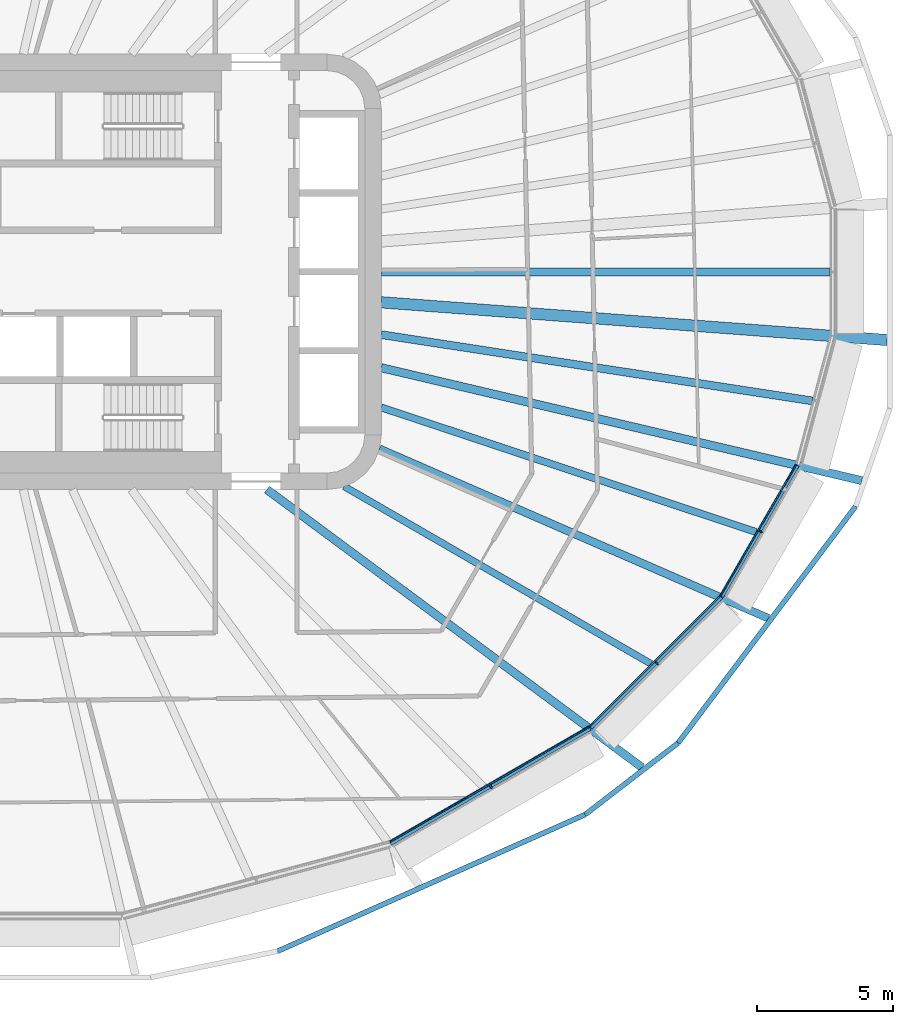
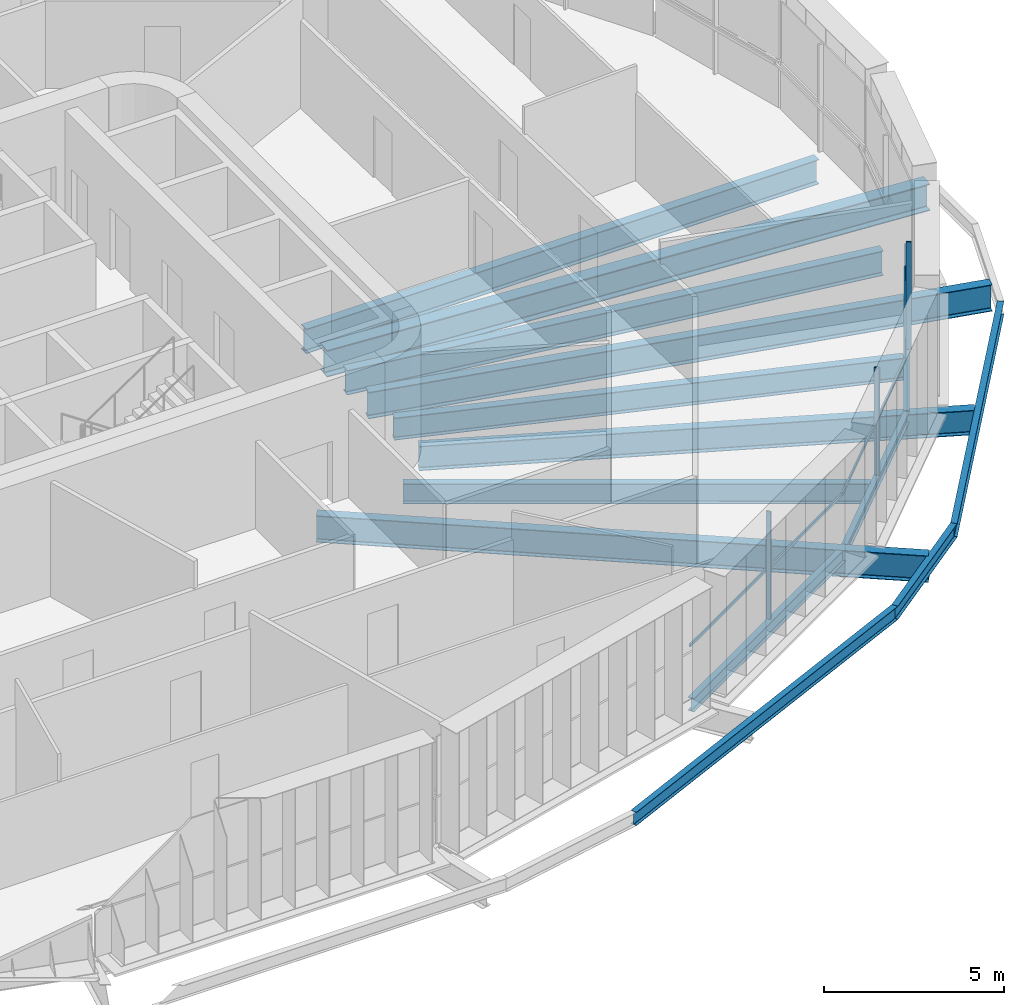
# One storey, part 5 of 26: 14 beams, 6 members, 3 elements without a shape of their own.
"""IFC4 building model written with IfcOpenShell, lengths in metres."""

from ifc_helpers import new_model, si_unit, direction, frame, origin, origin_2d, place, context, subcontext, project, spatial, rectangle, i_section, extrude, material, layer, layer_set, material_profile, profile_set, type_object, element, aggregate, save


model = new_model("IFC4")

# Units and contexts
model_context = context("Model", 3, precision=1e-05, world=origin(), true_north=direction((0.0, 1.0)))
body_context = subcontext(model_context, "Body", "Model", "MODEL_VIEW")
ifc_project = project(units=[si_unit("LENGTHUNIT", "METRE"), si_unit("AREAUNIT", "SQUARE_METRE"), si_unit("VOLUMEUNIT", "CUBIC_METRE"), si_unit("PLANEANGLEUNIT", "RADIAN"), si_unit("MASSUNIT", "GRAM", prefix="KILO")], contexts=[model_context])

# Site, building, storey
site_placement = place(None, origin())
site = spatial("IfcSite", under=ifc_project, at=site_placement, CompositionType="ELEMENT")
building_placement = place(site_placement, origin())
building = spatial("IfcBuilding", under=site, at=building_placement, Name="Sahrelin Media Tower", CompositionType="ELEMENT")
storey_placement = place(building_placement, frame((0.0, 0.0, 92.39990234375)))
storey = spatial("IfcBuildingStorey", under=building, at=storey_placement, Name="L17", CompositionType="ELEMENT", Elevation=92.39990234375)

# Beams
ifc_material_1 = material(Name="Steel S355", Category="steel")
ifc_material_profile_1 = material_profile(ifc_material_1, i_section(OverallWidth=0.1650390625, OverallDepth=0.303466796875, WebThickness=0.006103515625, FlangeThickness=0.01025390625, FilletRadius=0.0087890625, at=origin_2d()), Name="UB 305x165x40")
ifc_profile_set_1 = profile_set([ifc_material_profile_1], Name="Steel S355")
beam_type_1 = type_object("IfcBeamType", Name="Edge beam EB2", PredefinedType="BEAM", material=ifc_profile_set_1)
beam_1_placement = place(storey_placement, frame((30.282958984375, -7.103271484375, -0.301513671875), z_axis=(-0.499998387408, -0.866026334813, 0.0), x_axis=(0.866026334813, -0.499998387408, 0.0)))
element("IfcBeam", 1, at=beam_1_placement, inside=storey, type_object=beam_type_1, Name="Edge beam L17-03", PredefinedType="BEAM", context=body_context, shape_type="SweptSolid", body=[
    extrude(i_section(OverallWidth=0.1650390625, OverallDepth=0.303466796875, WebThickness=0.006103515625, FlangeThickness=0.01025390625, FilletRadius=0.0087890625, at=origin_2d()), origin(), (0.0, 0.0, 1.0), 5.5654296875),
])
ifc_material_profile_2 = material_profile(ifc_material_1, i_section(OverallWidth=0.17138671875, OverallDepth=0.35498046875, WebThickness=0.00732421875, FlangeThickness=0.011474609375, FilletRadius=0.01025390625, at=origin_2d()), Name="UB 356x171x51")
ifc_profile_set_2 = profile_set([ifc_material_profile_2], Name="Steel S355")
beam_type_2 = type_object("IfcBeamType", Name="Edge beam EB3", PredefinedType="BEAM", material=ifc_profile_set_2)
beam_2_placement = place(storey_placement, frame((27.482666015625, -11.946044921875, -0.327392578125), z_axis=(-0.707106781187, -0.707106781187, 0.0), x_axis=(0.707106781187, -0.707106781187, 0.0)))
element("IfcBeam", 2, at=beam_2_placement, inside=storey, type_object=beam_type_2, Name="Edge beam L17-04", PredefinedType="BEAM", context=body_context, shape_type="SweptSolid", body=[
    extrude(i_section(OverallWidth=0.17138671875, OverallDepth=0.35498046875, WebThickness=0.00732421875, FlangeThickness=0.011474609375, FilletRadius=0.01025390625, at=origin_2d()), origin(), (0.0, 0.0, 1.0), 6.7783203125),
])
ifc_material_profile_3 = material_profile(ifc_material_1, i_section(OverallWidth=0.1904296875, OverallDepth=0.45703125, WebThickness=0.009033203125, FlangeThickness=0.014404296875, FilletRadius=0.01025390625, at=origin_2d()), Name="UB 457x191x74")
ifc_profile_set_3 = profile_set([ifc_material_profile_3], Name="Steel S355")
beam_type_3 = type_object("IfcBeamType", Name="Edge beam EB5", PredefinedType="BEAM", material=ifc_profile_set_3)
beam_3_placement = place(storey_placement, frame((22.666748046875, -16.756591796875, -0.37841796875), z_axis=(-0.866025712585, -0.499999465141, 0.0), x_axis=(0.499999465141, -0.866025712585, 0.0)))
element("IfcBeam", 3, at=beam_3_placement, inside=storey, type_object=beam_type_3, Name="Edge beam L17-05", PredefinedType="BEAM", context=body_context, shape_type="SweptSolid", body=[
    extrude(i_section(OverallWidth=0.1904296875, OverallDepth=0.45703125, WebThickness=0.009033203125, FlangeThickness=0.014404296875, FilletRadius=0.01025390625, at=origin_2d()), origin(), (0.0, 0.0, 1.0), 8.46826171875),
])

# Curtain wall, member
ifc_material_2 = material(Name="Champagne anodised aluminium 6063-T6", Category="aluminium")
ifc_layer = layer(ifc_material_2, 0.14990234375)
ifc_layer_set = layer_set([ifc_layer], Name="Tower ribbon curtain wall")
curtain_wall_type = type_object("IfcCurtainWallType", Name="Tower ribbon curtain wall", PredefinedType="NOTDEFINED", material=ifc_layer_set)
curtain_wall_1_placement = place(storey_placement, frame((19.074951171875, -19.003662109375, 0.0), z_axis=(0.0, 0.0, 1.0), x_axis=(1.0, 0.0, 0.0)))
curtain_wall_1 = element("IfcCurtainWall", 4, at=curtain_wall_1_placement, inside=storey, type_object=curtain_wall_type, Name="L17:CW:L17-20", PredefinedType="NOTDEFINED")
ifc_material_profile_4 = material_profile(ifc_material_2, rectangle(XDim=0.06005859375, YDim=0.14990234375, at=origin_2d()), Name="Mullion 60x150")
ifc_profile_set_4 = profile_set([ifc_material_profile_4], Name="Champagne anodised aluminium 6063-T6")
member_type_1 = type_object("IfcMemberType", Name="Mullion 60x150 CW1", PredefinedType="MULLION", material=ifc_profile_set_4)
member_1_placement = place(storey_placement, frame((19.02734375, -18.92138671875, 0.0), z_axis=(0.0, 0.0, 1.0), x_axis=(0.866022785779, 0.500004534492, 0.0)))
member_1 = element("IfcMember", 5, at=member_1_placement, type_object=member_type_1, Name="L17:CWM:L17-20", PredefinedType="MULLION", context=body_context, shape_type="SweptSolid", body=[
    extrude(rectangle(XDim=0.06005859375, YDim=0.14990234375, at=origin_2d()), origin(), (0.0, 0.0, 1.0), 3.648681640625),
])

curtain_wall_2_placement = place(storey_placement, frame((25.192138671875, -14.448486328125, 0.0), z_axis=(0.0, 0.0, 1.0), x_axis=(1.0, 0.0, 0.0)))
curtain_wall_2 = element("IfcCurtainWall", 6, at=curtain_wall_2_placement, inside=storey, type_object=curtain_wall_type, Name="L17:CW:L17-21", PredefinedType="NOTDEFINED")
member_2_placement = place(storey_placement, frame((25.125, -14.381591796875, 0.0), z_axis=(0.0, 0.0, 1.0), x_axis=(0.707114185953, 0.707099376343, 0.0)))
member_2 = element("IfcMember", 7, at=member_2_placement, type_object=member_type_1, Name="L17:CWM:L17-21", PredefinedType="MULLION", context=body_context, shape_type="SweptSolid", body=[
    extrude(rectangle(XDim=0.06005859375, YDim=0.14990234375, at=origin_2d()), origin(), (0.0, 0.0, 1.0), 3.648681640625),
])

curtain_wall_3_placement = place(storey_placement, frame((29.021484375, -9.58837890625, 0.0), z_axis=(0.0, 0.0, 1.0), x_axis=(1.0, 0.0, 0.0)))
curtain_wall_3 = element("IfcCurtainWall", 8, at=curtain_wall_3_placement, inside=storey, type_object=curtain_wall_type, Name="L17:CW:L17-22", PredefinedType="NOTDEFINED")
member_3_placement = place(storey_placement, frame((28.939208984375, -9.540771484375, 0.0), z_axis=(0.0, 0.0, 1.0), x_axis=(0.499990930976, 0.866030639725, 0.0)))
member_3 = element("IfcMember", 9, at=member_3_placement, type_object=member_type_1, Name="L17:CWM:L17-22", PredefinedType="MULLION", context=body_context, shape_type="SweptSolid", body=[
    extrude(rectangle(XDim=0.06005859375, YDim=0.14990234375, at=origin_2d()), origin(), (0.0, 0.0, 1.0), 3.648681640625),
])

# Beams
ifc_material_profile_5 = material_profile(ifc_material_1, i_section(OverallWidth=0.291748046875, OverallDepth=0.8349609375, WebThickness=0.013916015625, FlangeThickness=0.018798828125, FilletRadius=0.017822265625, at=origin_2d()), Name="UB 838x292x176")
ifc_profile_set_5 = profile_set([ifc_material_profile_5], Name="Steel S355")
beam_type_4 = type_object("IfcBeamType", Name="Radial primary beam PB10", PredefinedType="BEAM", material=ifc_profile_set_5)
beam_4_placement = place(storey_placement, frame((14.93359375, -6.5048828125, -0.5673828125), z_axis=(0.916801692718, -0.399342780366, 0.0), x_axis=(0.399342780366, 0.916801692718, 0.0)))
element("IfcBeam", 10, at=beam_4_placement, inside=storey, type_object=beam_type_4, Name="Radial beam L17-22", PredefinedType="BEAM", context=body_context, shape_type="SweptSolid", body=[
    extrude(i_section(OverallWidth=0.291748046875, OverallDepth=0.8349609375, WebThickness=0.013916015625, FlangeThickness=0.018798828125, FilletRadius=0.017822265625, at=origin_2d()), origin(), (0.0, 0.0, 1.0), 15.5888671875),
])
ifc_material_profile_6 = material_profile(ifc_material_1, i_section(OverallWidth=0.30322265625, OverallDepth=0.903076171875, WebThickness=0.01513671875, FlangeThickness=0.020263671875, FilletRadius=0.01904296875, at=origin_2d()), Name="UB 914x305x201")
ifc_profile_set_6 = profile_set([ifc_material_profile_6], Name="Steel S355")
beam_type_5 = type_object("IfcBeamType", Name="Radial primary beam PB11", PredefinedType="BEAM", material=ifc_profile_set_6)
beam_5_placement = place(storey_placement, frame((10.798828125, -8.0, -0.601318359375), z_axis=(0.803531476901, -0.595262266257, 0.0), x_axis=(0.595262266257, 0.803531476901, 0.0)))
element("IfcBeam", 11, at=beam_5_placement, inside=storey, type_object=beam_type_5, Name="Radial beam L17-21", PredefinedType="BEAM", context=body_context, shape_type="SweptSolid", body=[
    extrude(i_section(OverallWidth=0.30322265625, OverallDepth=0.903076171875, WebThickness=0.01513671875, FlangeThickness=0.020263671875, FilletRadius=0.01904296875, at=origin_2d()), origin(), (0.0, 0.0, 1.0), 17.154541015625),
])
beam_6_placement = place(storey_placement, frame((15.0, -3.523681640625, -0.601318359375), z_axis=(0.973496009556, -0.22870399948, 0.0), x_axis=(0.22870399948, 0.973496009556, 0.0)))
element("IfcBeam", 12, at=beam_6_placement, inside=storey, type_object=beam_type_5, Name="Radial beam L17-23", PredefinedType="BEAM", context=body_context, shape_type="SweptSolid", body=[
    extrude(i_section(OverallWidth=0.30322265625, OverallDepth=0.903076171875, WebThickness=0.01513671875, FlangeThickness=0.020263671875, FilletRadius=0.01904296875, at=origin_2d()), origin(), (0.0, 0.0, 1.0), 18.139892578125),
])
ifc_material_profile_7 = material_profile(ifc_material_1, i_section(OverallWidth=0.41845703125, OverallDepth=0.911865234375, WebThickness=0.019287109375, FlangeThickness=0.031982421875, FilletRadius=0.024169921875, at=origin_2d()), Name="UB 914x419x343")
ifc_profile_set_7 = profile_set([ifc_material_profile_7], Name="Steel S355")
beam_type_6 = type_object("IfcBeamType", Name="Radial primary beam PB12", PredefinedType="BEAM", material=ifc_profile_set_7)
beam_7_placement = place(storey_placement, frame((15.0, -1.119384765625, -0.605712890625), z_axis=(0.997226716944, -0.074423618647, 0.0), x_axis=(0.074423618647, 0.997226716944, 0.0)))
element("IfcBeam", 13, at=beam_7_placement, inside=storey, type_object=beam_type_6, Name="Radial beam L17-24", PredefinedType="BEAM", context=body_context, shape_type="SweptSolid", body=[
    extrude(i_section(OverallWidth=0.41845703125, OverallDepth=0.911865234375, WebThickness=0.019287109375, FlangeThickness=0.031982421875, FilletRadius=0.024169921875, at=origin_2d()), origin(), (0.0, 0.0, 1.0), 18.639404296875),
])
ifc_material_profile_8 = material_profile(ifc_material_1, i_section(OverallWidth=0.291748046875, OverallDepth=0.8349609375, WebThickness=0.013916015625, FlangeThickness=0.018798828125, FilletRadius=0.017822265625, at=origin_2d()), Name="UB 838x292x176")
ifc_profile_set_8 = profile_set([ifc_material_profile_8], Name="Steel S355")
beam_type_7 = type_object("IfcBeamType", Name="Radial secondary beam SB10", PredefinedType="BEAM", material=ifc_profile_set_8)
beam_8_placement = place(storey_placement, frame((15.0, -2.30712890625, -0.5673828125), z_axis=(0.988375923041, -0.152029716678, 0.0), x_axis=(0.152029716678, 0.988375923041, 0.0)))
element("IfcBeam", 14, at=beam_8_placement, inside=storey, type_object=beam_type_7, Name="Secondary beam L17-23", PredefinedType="BEAM", context=body_context, shape_type="SweptSolid", body=[
    extrude(i_section(OverallWidth=0.291748046875, OverallDepth=0.8349609375, WebThickness=0.013916015625, FlangeThickness=0.018798828125, FilletRadius=0.017822265625, at=origin_2d()), origin(), (0.0, 0.0, 1.0), 16.02978515625),
])
beam_9_placement = place(storey_placement, frame((15.0, 0.0, -0.5673828125), z_axis=(1.0, 0.0, 0.0), x_axis=(0.0, 1.0, 0.0)))
element("IfcBeam", 15, at=beam_9_placement, inside=storey, type_object=beam_type_7, Name="Secondary beam L17-24", PredefinedType="BEAM", context=body_context, shape_type="SweptSolid", body=[
    extrude(i_section(OverallWidth=0.291748046875, OverallDepth=0.8349609375, WebThickness=0.013916015625, FlangeThickness=0.018798828125, FilletRadius=0.017822265625, at=origin_2d()), origin(), (0.0, 0.0, 1.0), 16.48828125),
])
ifc_material_profile_9 = material_profile(ifc_material_1, i_section(OverallWidth=0.2529296875, OverallDepth=0.677978515625, WebThickness=0.01171875, FlangeThickness=0.01611328125, FilletRadius=0.01513671875, at=origin_2d()), Name="UB 686x254x125")
ifc_profile_set_9 = profile_set([ifc_material_profile_9], Name="Steel S355")
beam_type_8 = type_object("IfcBeamType", Name="Radial secondary beam SB8", PredefinedType="BEAM", material=ifc_profile_set_9)
beam_10_placement = place(storey_placement, frame((13.63525390625, -7.88330078125, -0.48876953125), z_axis=(0.865726960109, -0.500516563703, 0.0), x_axis=(0.500516563703, 0.865726960109, 0.0)))
element("IfcBeam", 16, at=beam_10_placement, inside=storey, type_object=beam_type_8, Name="Secondary beam L17-21", PredefinedType="BEAM", context=body_context, shape_type="SweptSolid", body=[
    extrude(i_section(OverallWidth=0.2529296875, OverallDepth=0.677978515625, WebThickness=0.01171875, FlangeThickness=0.01611328125, FilletRadius=0.01513671875, at=origin_2d()), origin(), (0.0, 0.0, 1.0), 13.020263671875),
])
ifc_material_profile_10 = material_profile(ifc_material_1, i_section(OverallWidth=0.26513671875, OverallDepth=0.75390625, WebThickness=0.0126953125, FlangeThickness=0.017578125, FilletRadius=0.0166015625, at=origin_2d()), Name="UB 762x267x147")
ifc_profile_set_10 = profile_set([ifc_material_profile_10], Name="Steel S355")
beam_type_9 = type_object("IfcBeamType", Name="Radial secondary beam SB9", PredefinedType="BEAM", material=ifc_profile_set_10)
beam_11_placement = place(storey_placement, frame((15.0, -4.983642578125, -0.52685546875), z_axis=(0.948994110949, -0.315293795346, 0.0), x_axis=(0.315293795346, 0.948994110949, 0.0)))
element("IfcBeam", 17, at=beam_11_placement, inside=storey, type_object=beam_type_9, Name="Secondary beam L17-22", PredefinedType="BEAM", context=body_context, shape_type="SweptSolid", body=[
    extrude(i_section(OverallWidth=0.26513671875, OverallDepth=0.75390625, WebThickness=0.0126953125, FlangeThickness=0.017578125, FilletRadius=0.0166015625, at=origin_2d()), origin(), (0.0, 0.0, 1.0), 14.510009765625),
])
ifc_material_profile_11 = material_profile(ifc_material_1, i_section(OverallWidth=0.1904296875, OverallDepth=0.45703125, WebThickness=0.009033203125, FlangeThickness=0.014404296875, FilletRadius=0.01025390625, at=origin_2d()), Name="UB 457x191x74")
ifc_profile_set_11 = profile_set([ifc_material_profile_11], Name="Steel S355")
beam_type_10 = type_object("IfcBeamType", Name="Tie chord TC5", PredefinedType="BEAM", material=ifc_profile_set_11)
beam_12_placement = place(storey_placement, frame((11.19140625, -24.962890625, -0.37841796875), z_axis=(0.913831088012, 0.406094499573, 0.0), x_axis=(-0.406094499573, 0.913831088012, 0.0)))
element("IfcBeam", 18, at=beam_12_placement, inside=storey, type_object=beam_type_10, Name="Tie chord L17-20", PredefinedType="BEAM", context=body_context, shape_type="SweptSolid", body=[
    extrude(i_section(OverallWidth=0.1904296875, OverallDepth=0.45703125, WebThickness=0.009033203125, FlangeThickness=0.014404296875, FilletRadius=0.01025390625, at=origin_2d()), origin(), (0.0, 0.0, 1.0), 12.365234375),
])
beam_13_placement = place(storey_placement, frame((22.4912109375, -19.94140625, -0.37841796875), z_axis=(0.792463992423, 0.609918700084, 0.0), x_axis=(-0.609918700084, 0.792463992423, 0.0)))
element("IfcBeam", 19, at=beam_13_placement, inside=storey, type_object=beam_type_10, Name="Tie chord L17-21", PredefinedType="BEAM", context=body_context, shape_type="SweptSolid", body=[
    extrude(i_section(OverallWidth=0.1904296875, OverallDepth=0.45703125, WebThickness=0.009033203125, FlangeThickness=0.014404296875, FilletRadius=0.01025390625, at=origin_2d()), origin(), (0.0, 0.0, 1.0), 4.311767578125),
])
beam_14_placement = place(storey_placement, frame((25.908203125, -17.3115234375, -0.37841796875), z_axis=(0.600046705704, 0.799964968592, 0.0), x_axis=(-0.799964968592, 0.600046705704, 0.0)))
element("IfcBeam", 20, at=beam_14_placement, inside=storey, type_object=beam_type_10, Name="Tie chord L17-22", PredefinedType="BEAM", context=body_context, shape_type="SweptSolid", body=[
    extrude(i_section(OverallWidth=0.1904296875, OverallDepth=0.45703125, WebThickness=0.009033203125, FlangeThickness=0.014404296875, FilletRadius=0.01025390625, at=origin_2d()), origin(), (0.0, 0.0, 1.0), 10.872314453125),
])

# Member
ifc_material_profile_12 = material_profile(ifc_material_2, rectangle(XDim=0.050048828125, YDim=0.10009765625, at=origin_2d()), Name="Transom 50x100")
ifc_profile_set_12 = profile_set([ifc_material_profile_12], Name="Champagne anodised aluminium 6063-T6")
member_type_2 = type_object("IfcMemberType", Name="Transom 50x100 CW1", PredefinedType="USERDEFINED", material=ifc_profile_set_12)
member_4_placement = place(storey_placement, frame((15.32421875, -20.94384765625, 1.60009765625), z_axis=(0.866029933621, 0.499992154011, 0.0), x_axis=(-0.499992154011, 0.866029933621, 0.0)))
member_4 = element("IfcMember", 21, at=member_4_placement, type_object=member_type_2, Name="L17:CWT:L17-20", ObjectType="TRANSOM", PredefinedType="USERDEFINED", context=body_context, shape_type="SweptSolid", body=[
    extrude(rectangle(XDim=0.050048828125, YDim=0.10009765625, at=origin_2d()), origin(), (0.0, 0.0, 1.0), 8.436767578125),
])

aggregate(curtain_wall_1, [member_1, member_4])

member_5_placement = place(storey_placement, frame((22.6689453125, -16.6962890625, 1.60009765625), z_axis=(0.707088688516, 0.707124873394, 0.0), x_axis=(-0.707124873394, 0.707088688516, 0.0)))
member_5 = element("IfcMember", 22, at=member_5_placement, type_object=member_type_2, Name="L17:CWT:L17-21", ObjectType="TRANSOM", PredefinedType="USERDEFINED", context=body_context, shape_type="SweptSolid", body=[
    extrude(rectangle(XDim=0.050048828125, YDim=0.10009765625, at=origin_2d()), origin(), (0.0, 0.0, 1.0), 6.7470703125),
])

aggregate(curtain_wall_2, [member_2, member_5])

member_6_placement = place(storey_placement, frame((27.468994140625, -11.88720703125, 1.60009765625), z_axis=(0.500001219746, 0.866024699562, 0.0), x_axis=(-0.866024699562, 0.500001219746, 0.0)))
member_6 = element("IfcMember", 23, at=member_6_placement, type_object=member_type_2, Name="L17:CWT:L17-22", ObjectType="TRANSOM", PredefinedType="USERDEFINED", context=body_context, shape_type="SweptSolid", body=[
    extrude(rectangle(XDim=0.050048828125, YDim=0.10009765625, at=origin_2d()), origin(), (0.0, 0.0, 1.0), 5.5341796875),
])

aggregate(curtain_wall_3, [member_3, member_6])

save(model, "model.ifc")
